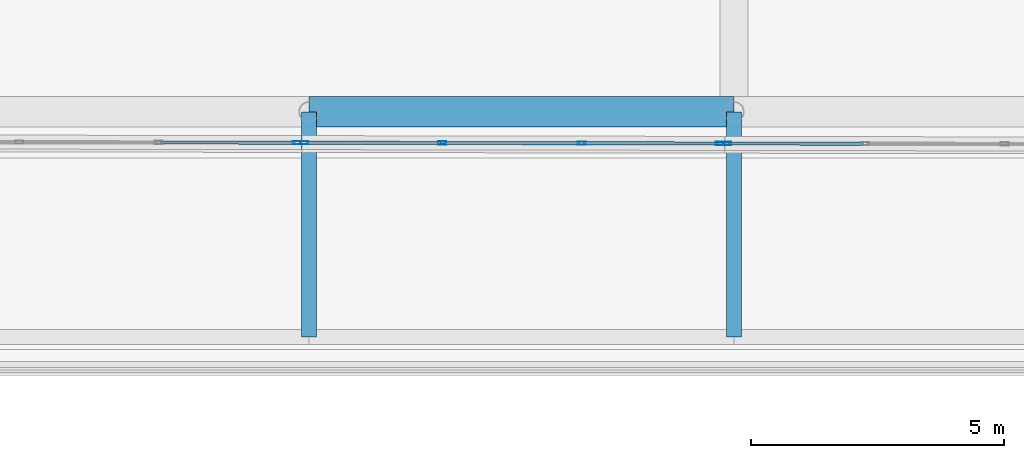
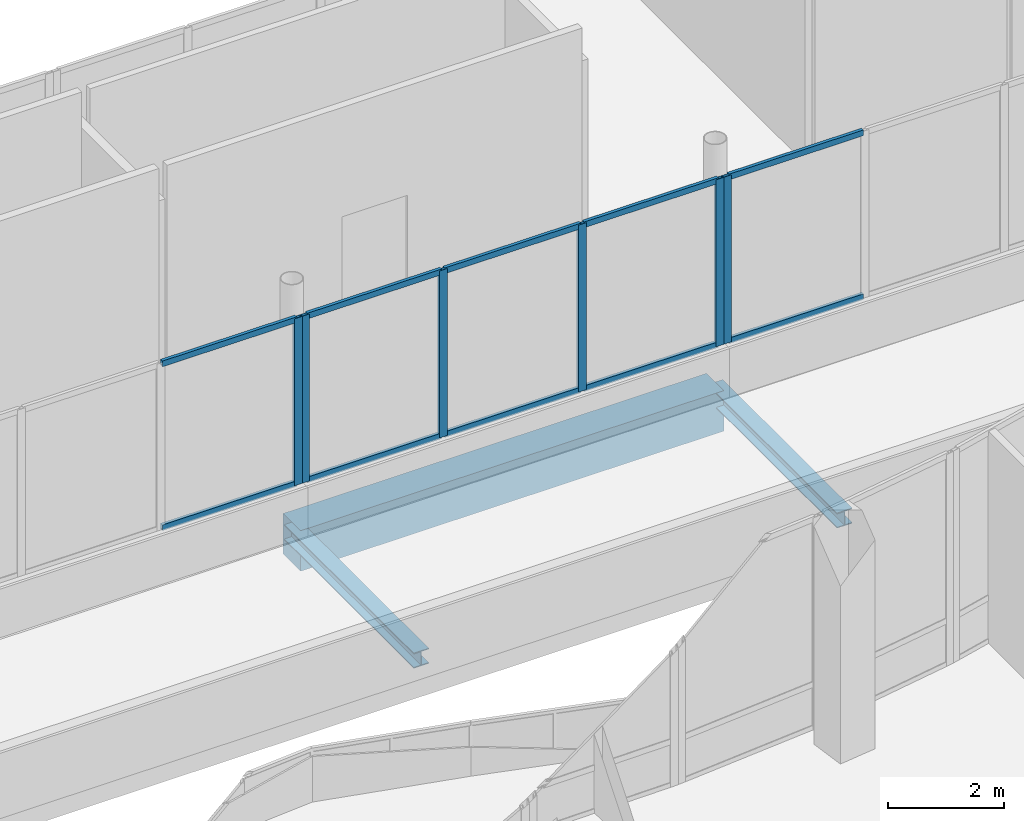
# One storey, part 37 of 168: 16 members, 3 beams, 3 elements without a shape of their own.
"""IFC4 building model written with IfcOpenShell, lengths in metres."""

import ifcopenshell
import ifcopenshell.guid

model = None  # the IFC model being written
_history = None  # IfcOwnerHistory: only IFC2X3 demands one
_inside = {}  # id of a spatial element -> (the spatial element, [elements in it])
_under = {}  # id of a project, library or spatial element -> (it, [spatial elements below it])
_declared = {}  # id of a project -> (the project, [libraries it declares])
_typed = {}  # id of a type object -> (the type object, [elements of that type])
_made_of = {}  # id of a material, layer set ... -> (it, [elements and type objects made of it])


def new_model(schema):
    """Start an empty IFC model of exactly this schema.

    Asked for "IFC4X3", IfcOpenShell would pick the latest addendum, in which some entities
    have other attributes; the version numbers below select the first issue.
    IFC2X3 requires an IfcOwnerHistory on every rooted entity: one is made here for all.
    """
    global model, _history
    if schema == "IFC4X3":
        model = ifcopenshell.file(schema_version=(4, 3, 0, 0))
    else:
        model = ifcopenshell.file(schema=schema)
    _inside.clear()
    _under.clear()
    _declared.clear()
    _typed.clear()
    _made_of.clear()
    _history = None
    if model.schema == "IFC2X3":
        org = make("IfcOrganization", Name="unknown")
        user = make(
            "IfcPersonAndOrganization",
            ThePerson=make("IfcPerson", FamilyName="unknown"),
            TheOrganization=org,
        )
        app = make(
            "IfcApplication",
            ApplicationDeveloper=org,
            Version="unknown",
            ApplicationFullName="unknown",
            ApplicationIdentifier="unknown",
        )
        _history = make(
            "IfcOwnerHistory",
            OwningUser=user,
            OwningApplication=app,
            ChangeAction="ADDED",
            CreationDate=0,
        )
    return model


def make(cls, **values):
    """One entity of the class cls with the attributes given. An attribute that is None is left unset."""
    return model.create_entity(
        cls, **{name: value for name, value in values.items() if value is not None}
    )


def rooted(cls, **values):
    """An entity with a GlobalId (a new one), such as an element, a storey or a relation."""
    return make(cls, GlobalId=ifcopenshell.guid.new(), OwnerHistory=_history, **values)


def si_unit(unit_type, name, prefix=None):
    """IfcSIUnit, for example si_unit("LENGTHUNIT", "METRE", prefix="MILLI")."""
    return make("IfcSIUnit", UnitType=unit_type, Prefix=prefix, Name=name)


def assignment(units):
    """IfcUnitAssignment: the units of a project."""
    return None if units is None else make("IfcUnitAssignment", Units=units)


def point(xyz):
    """IfcCartesianPoint."""
    return None if xyz is None else make("IfcCartesianPoint", Coordinates=xyz)


def direction(xyz):
    """IfcDirection."""
    return None if xyz is None else make("IfcDirection", DirectionRatios=xyz)


def frame(location, z_axis=None, x_axis=None):
    """IfcAxis2Placement3D, a coordinate frame: its origin and axes. An axis left out is left unset."""
    return make(
        "IfcAxis2Placement3D",
        Location=point(location),
        Axis=direction(z_axis),
        RefDirection=direction(x_axis),
    )


def frame_2d(location, x_axis=None):
    """IfcAxis2Placement2D, a coordinate frame in the plane: its origin and x axis."""
    return make(
        "IfcAxis2Placement2D", Location=point(location), RefDirection=direction(x_axis)
    )


def origin():
    """The frame at (0, 0, 0) with its axes left unset."""
    return frame((0.0, 0.0, 0.0))


def origin_2d():
    """The frame at (0, 0) in the plane with its x axis left unset."""
    return frame_2d((0.0, 0.0))


def place(relative_to, where):
    """IfcLocalPlacement: puts the frame where relative to a parent placement (None: the world)."""
    return make(
        "IfcLocalPlacement", PlacementRelTo=relative_to, RelativePlacement=where
    )


def context(
    kind, dimensions, precision=None, world=None, true_north=None, identifier=None
):
    """IfcGeometricRepresentationContext, for example the 3D "Model" context."""
    return make(
        "IfcGeometricRepresentationContext",
        ContextIdentifier=identifier,
        ContextType=kind,
        CoordinateSpaceDimension=dimensions,
        Precision=precision,
        WorldCoordinateSystem=world,
        TrueNorth=true_north,
    )


def subcontext(parent, identifier, kind, view, scale=None):
    """IfcGeometricRepresentationSubContext, for example "Body" below "Model"."""
    return make(
        "IfcGeometricRepresentationSubContext",
        ContextIdentifier=identifier,
        ContextType=kind,
        ParentContext=parent,
        TargetScale=scale,
        TargetView=view,
    )


def project(units=None, contexts=None):
    """IfcProject with its units and contexts."""
    return rooted(
        "IfcProject",
        Name="project",
        RepresentationContexts=contexts,
        UnitsInContext=assignment(units),
    )


def spatial(cls, under=None, at=None, **own):
    """A site, building, storey or space (cls), placed at a placement, below another one or the project."""
    s = rooted(cls, ObjectPlacement=at, **own)
    if under is not None:
        _under.setdefault(under.id(), (under, []))[1].append(s)
    return s


def profile(cls, at=None, kind="AREA", **sizes):
    """A parametric profile (cls). Its sizes go by their IFC names, for example OverallWidth=200.0."""
    return make(cls, ProfileType=kind, Position=at, **sizes)


def rectangle(**sizes):
    """IfcRectangleProfileDef."""
    return profile("IfcRectangleProfileDef", **sizes)


def hollow_rectangle(**sizes):
    """IfcRectangleHollowProfileDef."""
    return profile("IfcRectangleHollowProfileDef", **sizes)


def i_section(**sizes):
    """IfcIShapeProfileDef."""
    return profile("IfcIShapeProfileDef", **sizes)


def extrude(swept, where, along, depth):
    """IfcExtrudedAreaSolid: the profile swept, set in the frame where, extruded along a direction by depth."""
    return make(
        "IfcExtrudedAreaSolid",
        SweptArea=swept,
        Position=where,
        ExtrudedDirection=direction(along),
        Depth=depth,
    )


def shape(context_of_items, identifier, shape_type, items):
    """IfcShapeRepresentation: the items that make up one representation, for example the "Body"."""
    return make(
        "IfcShapeRepresentation",
        ContextOfItems=context_of_items,
        RepresentationIdentifier=identifier,
        RepresentationType=shape_type,
        Items=items,
    )


def material(Name=None, Category=None):
    """IfcMaterial."""
    return make("IfcMaterial", Name=Name, Category=Category)


def material_profile(
    of_material, cross_section, Name=None, Category=None, Priority=None
):
    """IfcMaterialProfile: a cross section and its material."""
    return make(
        "IfcMaterialProfile",
        Name=Name,
        Material=of_material,
        Profile=cross_section,
        Priority=Priority,
        Category=Category,
    )


def profile_set(profiles, Name=None, composite=None):
    """IfcMaterialProfileSet."""
    return make(
        "IfcMaterialProfileSet",
        Name=Name,
        MaterialProfiles=profiles,
        CompositeProfile=composite,
    )


def made_of(thing, what):
    """Note that an element or type object is made of a material, layer set ...; save() writes the relation."""
    if what is not None:
        _made_of.setdefault(what.id(), (what, []))[1].append(thing)
    return thing


def type_object(cls, material=None, **own):
    """A type object (cls), such as IfcWallType, which elements share."""
    return made_of(rooted(cls, **own), material)


def element(
    cls,
    number,
    at=None,
    inside=None,
    cuts=None,
    type_object=None,
    material=None,
    context=None,
    identifier="Body",
    shape_type=None,
    held_by="IfcProductDefinitionShape",
    body=None,
    shapes=None,
    **own,
):
    """One element of the class cls, such as IfcWall. Its Tag is "e" and its number.

    at: its placement. inside: the storey or other place that contains it. cuts: it is an
    opening in that element (IfcRelVoidsElement). A single representation is given by context,
    identifier, shape_type and body (its items); several are given by shapes. held_by: the class
    of the entity that holds the representations. save() writes the other relations.
    """
    e = rooted(cls, Tag="e%d" % number, ObjectPlacement=at, **own)
    if body is not None:
        shapes = [shape(context, identifier, shape_type, body)]
    if shapes is not None:
        e.Representation = make(held_by, Representations=shapes)
    if inside is not None:
        _inside.setdefault(inside.id(), (inside, []))[1].append(e)
    if cuts is not None:
        rooted(
            "IfcRelVoidsElement", RelatingBuildingElement=cuts, RelatedOpeningElement=e
        )
    if type_object is not None:
        _typed.setdefault(type_object.id(), (type_object, []))[1].append(e)
    return made_of(e, material)


def aggregate(whole, parts):
    """IfcRelAggregates: a whole, such as a stair, and the parts it consists of."""
    return rooted("IfcRelAggregates", RelatingObject=whole, RelatedObjects=parts)


def save(model, path):
    """Write the relations noted so far, then the file.

    IfcRelAggregates (storeys below a building ...), IfcRelContainedInSpatialStructure (elements
    in a storey), IfcRelDefinesByType, IfcRelAssociatesMaterial and IfcRelDeclares: one each for
    every whole, place, type object, material and project.
    """
    for whole, parts in _under.values():
        aggregate(whole, parts)
    for where, things in _inside.values():
        rooted(
            "IfcRelContainedInSpatialStructure",
            RelatedElements=things,
            RelatingStructure=where,
        )
    for kind, things in _typed.values():
        rooted("IfcRelDefinesByType", RelatedObjects=things, RelatingType=kind)
    for what, things in _made_of.values():
        rooted("IfcRelAssociatesMaterial", RelatedObjects=things, RelatingMaterial=what)
    for by, libraries in _declared.values():
        rooted("IfcRelDeclares", RelatingContext=by, RelatedDefinitions=libraries)
    model.write(path)


model = new_model("IFC4")

# Units and contexts
model_context = context("Model", 3, precision=1e-05, world=origin(), true_north=direction((0.0, 1.0)))
body_context = subcontext(model_context, "Body", "Model", "MODEL_VIEW")
ifc_project = project(units=[si_unit("LENGTHUNIT", "METRE"), si_unit("AREAUNIT", "SQUARE_METRE"), si_unit("VOLUMEUNIT", "CUBIC_METRE"), si_unit("PLANEANGLEUNIT", "RADIAN"), si_unit("MASSUNIT", "GRAM", prefix="KILO")], contexts=[model_context])

# Site, building, storey
site_placement = place(None, origin())
site = spatial("IfcSite", under=ifc_project, at=site_placement, CompositionType="ELEMENT")
building_placement = place(site_placement, origin())
building = spatial("IfcBuilding", under=site, at=building_placement, Name="Selatvlak General Hospital", CompositionType="ELEMENT")
storey_placement = place(building_placement, frame((0.0, 0.0, 5.39990234375)))
storey = spatial("IfcBuildingStorey", under=building, at=storey_placement, Name="L01", CompositionType="ELEMENT", Elevation=5.39990234375)

# Beams
ifc_material_1 = material(Name="Steel S355", Category="steel")
ifc_material_profile_1 = material_profile(ifc_material_1, i_section(OverallWidth=0.300048828125, OverallDepth=0.320068359375, WebThickness=0.011474609375, FlangeThickness=0.0205078125, at=origin_2d()), Name="HEB 320")
ifc_profile_set_1 = profile_set([ifc_material_profile_1], Name="Steel S355")
beam_type_1 = type_object("IfcBeamType", Name="BM-CAN", PredefinedType="BEAM", material=ifc_profile_set_1)
for number, where, z_axis, x_axis, name in (
    (1, (56.39990234375, 48.10009765625, -0.47998046875), (0.0, 1.0, 0.0), (-1.0, 0.0, 0.0), "Beam BMR-L01-2948"),
    (2, (64.800048828125, 48.10009765625, -0.47998046875), (0.0, 1.0, 0.0), (-1.0, 0.0, 0.0), "Beam BMR-L01-2949"),
):
    element("IfcBeam", number, at=place(storey_placement, frame(where, z_axis=z_axis, x_axis=x_axis)), inside=storey, type_object=beam_type_1, Name=name, PredefinedType="BEAM", context=body_context, shape_type="SweptSolid", body=[
        extrude(i_section(OverallWidth=0.300048828125, OverallDepth=0.320068359375, WebThickness=0.011474609375, FlangeThickness=0.0205078125, at=origin_2d()), origin(), (0.0, 0.0, 1.0), 4.449951171875),
    ])
ifc_material_2 = material(Name="Concrete C40/50", Category="concrete")
ifc_material_profile_2 = material_profile(ifc_material_2, rectangle(XDim=0.60009765625, YDim=0.85009765625, at=origin_2d()), Name="RC-BM 600x850")
ifc_profile_set_2 = profile_set([ifc_material_profile_2], Name="Concrete C40/50")
beam_type_2 = type_object("IfcBeamType", Name="BM-G01", PredefinedType="BEAM", material=ifc_profile_set_2)
beam_placement = place(storey_placement, frame((56.39990234375, 52.550048828125, -0.744873046875), z_axis=(1.0, 0.0, 0.0), x_axis=(0.0, 1.0, 0.0)))
element("IfcBeam", 3, at=beam_placement, inside=storey, type_object=beam_type_2, Name="Beam BMR-L01-0389", PredefinedType="BEAM", context=body_context, shape_type="SweptSolid", body=[
    extrude(rectangle(XDim=0.60009765625, YDim=0.85009765625, at=origin_2d()), origin(), (0.0, 0.0, 1.0), 8.400146484375),
])

# Curtain wall, member
ifc_material_3 = material(Name="Solar-control Low-E double glazing", Category="glass")
curtain_wall_type_1 = type_object("IfcCurtainWallType", Name="CW-CW-02", PredefinedType="USERDEFINED", material=ifc_material_3)
curtain_wall_1_placement = place(storey_placement, origin())
curtain_wall_1 = element("IfcCurtainWall", 4, at=curtain_wall_1_placement, inside=storey, type_object=curtain_wall_type_1, Name="Glazed facade curtain wall CW-L01-0209", ObjectType="UNITISED CURTAIN WALL", PredefinedType="USERDEFINED")
ifc_material_4 = material(Name="Dark anodised aluminium mullion", Category="aluminium")
ifc_material_profile_3 = material_profile(ifc_material_4, hollow_rectangle(XDim=0.06494140625, YDim=0.159912109375, WallThickness=0.00390625, at=origin_2d()), Name="AL-MUL 65x160x4")
ifc_profile_set_3 = profile_set([ifc_material_profile_3], Name="Dark anodised aluminium mullion")
member_type_1 = type_object("IfcMemberType", Name="CWM-01", PredefinedType="MULLION", material=ifc_profile_set_3)
member_1_placement = place(storey_placement, frame((64.66552734375, 51.925048828125, 0.940185546875), z_axis=(0.0, 0.0, 1.0), x_axis=(-0.001811153756, -0.99999835986, 0.0)))
member_1 = element("IfcMember", 5, at=member_1_placement, type_object=member_type_1, Name="CW-02 mullion 4", PredefinedType="MULLION", context=body_context, shape_type="SweptSolid", body=[
    extrude(hollow_rectangle(XDim=0.06494140625, YDim=0.159912109375, WallThickness=0.00390625, at=origin_2d()), origin(), (0.0, 0.0, 1.0), 3.5048828125),
])

# Curtain wall, members
curtain_wall_type_2 = type_object("IfcCurtainWallType", Name="CW-CW-01", PredefinedType="USERDEFINED", material=ifc_material_3)
curtain_wall_2_placement = place(storey_placement, origin())
curtain_wall_2 = element("IfcCurtainWall", 6, at=curtain_wall_2_placement, inside=storey, type_object=curtain_wall_type_2, Name="Glazed facade curtain wall CW-L01-0210", ObjectType="UNITISED CURTAIN WALL", PredefinedType="USERDEFINED")
member_2_placement = place(storey_placement, frame((64.5205078125, 51.925048828125, 0.940185546875), z_axis=(0.0, 0.0, 1.0), x_axis=(-0.001811153756, -0.99999835986, 0.0)))
member_2 = element("IfcMember", 7, at=member_2_placement, type_object=member_type_1, Name="CW-01 mullion 1", PredefinedType="MULLION", context=body_context, shape_type="SweptSolid", body=[
    extrude(hollow_rectangle(XDim=0.06494140625, YDim=0.159912109375, WallThickness=0.00390625, at=origin_2d()), origin(), (0.0, 0.0, 1.0), 3.5048828125),
])
member_3_placement = place(storey_placement, frame((61.792236328125, 51.929931640625, 0.940185546875), z_axis=(0.0, 0.0, 1.0), x_axis=(-0.001811153756, -0.99999835986, 0.0)))
member_3 = element("IfcMember", 8, at=member_3_placement, type_object=member_type_1, Name="CW-01 mullion 2", PredefinedType="MULLION", context=body_context, shape_type="SweptSolid", body=[
    extrude(hollow_rectangle(XDim=0.06494140625, YDim=0.159912109375, WallThickness=0.00390625, at=origin_2d()), origin(), (0.0, 0.0, 1.0), 3.5048828125),
])
member_4_placement = place(storey_placement, frame((59.03173828125, 51.93505859375, 0.940185546875), z_axis=(0.0, 0.0, 1.0), x_axis=(-0.001811153756, -0.99999835986, 0.0)))
member_4 = element("IfcMember", 9, at=member_4_placement, type_object=member_type_1, Name="CW-01 mullion 3", PredefinedType="MULLION", context=body_context, shape_type="SweptSolid", body=[
    extrude(hollow_rectangle(XDim=0.06494140625, YDim=0.159912109375, WallThickness=0.00390625, at=origin_2d()), origin(), (0.0, 0.0, 1.0), 3.5048828125),
])
member_5_placement = place(storey_placement, frame((56.303466796875, 51.93994140625, 0.940185546875), z_axis=(0.0, 0.0, 1.0), x_axis=(-0.001811153756, -0.99999835986, 0.0)))
member_5 = element("IfcMember", 10, at=member_5_placement, type_object=member_type_1, Name="CW-01 mullion 4", PredefinedType="MULLION", context=body_context, shape_type="SweptSolid", body=[
    extrude(hollow_rectangle(XDim=0.06494140625, YDim=0.159912109375, WallThickness=0.00390625, at=origin_2d()), origin(), (0.0, 0.0, 1.0), 3.5048828125),
])

# Curtain wall, member
curtain_wall_3_placement = place(storey_placement, origin())
curtain_wall_3 = element("IfcCurtainWall", 11, at=curtain_wall_3_placement, inside=storey, type_object=curtain_wall_type_1, Name="Glazed facade curtain wall CW-L01-0211", ObjectType="UNITISED CURTAIN WALL", PredefinedType="USERDEFINED")
member_6_placement = place(storey_placement, frame((56.158447265625, 51.93994140625, 0.940185546875), z_axis=(0.0, 0.0, 1.0), x_axis=(-0.001811372463, -0.999998359464, 0.0)))
member_6 = element("IfcMember", 12, at=member_6_placement, type_object=member_type_1, Name="CW-02 mullion 1", PredefinedType="MULLION", context=body_context, shape_type="SweptSolid", body=[
    extrude(hollow_rectangle(XDim=0.06494140625, YDim=0.159912109375, WallThickness=0.00390625, at=origin_2d()), origin(), (0.0, 0.0, 1.0), 3.5048828125),
])

# Member
ifc_material_profile_4 = material_profile(ifc_material_4, hollow_rectangle(XDim=0.06494140625, YDim=0.1201171875, WallThickness=0.00390625, at=origin_2d()), Name="AL-TRN 65x120x4")
ifc_profile_set_4 = profile_set([ifc_material_profile_4], Name="Dark anodised aluminium mullion")
member_type_2 = type_object("IfcMemberType", Name="CWT-01", PredefinedType="USERDEFINED", material=ifc_profile_set_4)
member_7_placement = place(storey_placement, frame((67.361083984375, 51.920166015625, 0.97265625), z_axis=(-0.999998482999, 0.001741838208, 0.0), x_axis=(-0.001741838208, -0.999998482999, 0.0)))
member_7 = element("IfcMember", 13, at=member_7_placement, type_object=member_type_2, Name="CW-02 transom 3.1", ObjectType="TRANSOM", PredefinedType="USERDEFINED", context=body_context, shape_type="SweptSolid", body=[
    extrude(hollow_rectangle(XDim=0.06494140625, YDim=0.1201171875, WallThickness=0.00390625, at=origin_2d()), origin(), (0.0, 0.0, 1.0), 2.6630859375),
])

member_8_placement = place(storey_placement, frame((67.361083984375, 51.920166015625, 4.41259765625), z_axis=(-0.999998482999, 0.001741838208, 0.0), x_axis=(-0.001741838208, -0.999998482999, 0.0)))
member_8 = element("IfcMember", 14, at=member_8_placement, type_object=member_type_2, Name="CW-02 transom 3.2", ObjectType="TRANSOM", PredefinedType="USERDEFINED", context=body_context, shape_type="SweptSolid", body=[
    extrude(hollow_rectangle(XDim=0.06494140625, YDim=0.1201171875, WallThickness=0.00390625, at=origin_2d()), origin(), (0.0, 0.0, 1.0), 2.6630859375),
])

aggregate(curtain_wall_1, [member_1, member_7, member_8])

member_9_placement = place(storey_placement, frame((64.488037109375, 51.925048828125, 0.97265625), z_axis=(-0.999998319113, 0.001833513603, 0.0), x_axis=(-0.001833513603, -0.999998319113, 0.0)))
member_9 = element("IfcMember", 15, at=member_9_placement, type_object=member_type_2, Name="CW-01 transom 1.1", ObjectType="TRANSOM", PredefinedType="USERDEFINED", context=body_context, shape_type="SweptSolid", body=[
    extrude(hollow_rectangle(XDim=0.06494140625, YDim=0.1201171875, WallThickness=0.00390625, at=origin_2d()), origin(), (0.0, 0.0, 1.0), 2.6630859375),
])

member_10_placement = place(storey_placement, frame((64.488037109375, 51.925048828125, 4.41259765625), z_axis=(-0.999998319113, 0.001833513603, 0.0), x_axis=(-0.001833513603, -0.999998319113, 0.0)))
member_10 = element("IfcMember", 16, at=member_10_placement, type_object=member_type_2, Name="CW-01 transom 1.2", ObjectType="TRANSOM", PredefinedType="USERDEFINED", context=body_context, shape_type="SweptSolid", body=[
    extrude(hollow_rectangle(XDim=0.06494140625, YDim=0.1201171875, WallThickness=0.00390625, at=origin_2d()), origin(), (0.0, 0.0, 1.0), 2.6630859375),
])

member_11_placement = place(storey_placement, frame((61.759765625, 51.93017578125, 0.97265625), z_axis=(-0.999998359364, 0.001811427152, 0.0), x_axis=(-0.001811427152, -0.999998359364, 0.0)))
member_11 = element("IfcMember", 17, at=member_11_placement, type_object=member_type_2, Name="CW-01 transom 2.1", ObjectType="TRANSOM", PredefinedType="USERDEFINED", context=body_context, shape_type="SweptSolid", body=[
    extrude(hollow_rectangle(XDim=0.06494140625, YDim=0.1201171875, WallThickness=0.00390625, at=origin_2d()), origin(), (0.0, 0.0, 1.0), 2.695556640625),
])

member_12_placement = place(storey_placement, frame((61.759765625, 51.93017578125, 4.41259765625), z_axis=(-0.999998359364, 0.001811427152, 0.0), x_axis=(-0.001811427152, -0.999998359364, 0.0)))
member_12 = element("IfcMember", 18, at=member_12_placement, type_object=member_type_2, Name="CW-01 transom 2.2", ObjectType="TRANSOM", PredefinedType="USERDEFINED", context=body_context, shape_type="SweptSolid", body=[
    extrude(hollow_rectangle(XDim=0.06494140625, YDim=0.1201171875, WallThickness=0.00390625, at=origin_2d()), origin(), (0.0, 0.0, 1.0), 2.695556640625),
])

member_13_placement = place(storey_placement, frame((58.999267578125, 51.93505859375, 0.97265625), z_axis=(-0.999998319421, 0.00183334553, 0.0), x_axis=(-0.00183334553, -0.999998319421, 0.0)))
member_13 = element("IfcMember", 19, at=member_13_placement, type_object=member_type_2, Name="CW-01 transom 3.1", ObjectType="TRANSOM", PredefinedType="USERDEFINED", context=body_context, shape_type="SweptSolid", body=[
    extrude(hollow_rectangle(XDim=0.06494140625, YDim=0.1201171875, WallThickness=0.00390625, at=origin_2d()), origin(), (0.0, 0.0, 1.0), 2.663330078125),
])

member_14_placement = place(storey_placement, frame((58.999267578125, 51.93505859375, 4.41259765625), z_axis=(-0.999998319421, 0.00183334553, 0.0), x_axis=(-0.00183334553, -0.999998319421, 0.0)))
member_14 = element("IfcMember", 20, at=member_14_placement, type_object=member_type_2, Name="CW-01 transom 3.2", ObjectType="TRANSOM", PredefinedType="USERDEFINED", context=body_context, shape_type="SweptSolid", body=[
    extrude(hollow_rectangle(XDim=0.06494140625, YDim=0.1201171875, WallThickness=0.00390625, at=origin_2d()), origin(), (0.0, 0.0, 1.0), 2.663330078125),
])

aggregate(curtain_wall_2, [member_2, member_3, member_4, member_5, member_9, member_10, member_11, member_12, member_13, member_14])

member_15_placement = place(storey_placement, frame((56.1259765625, 51.940185546875, 0.97265625), z_axis=(-0.99999848272, 0.001741997907, 0.0), x_axis=(-0.001741997907, -0.99999848272, 0.0)))
member_15 = element("IfcMember", 21, at=member_15_placement, type_object=member_type_2, Name="CW-02 transom 1.1", ObjectType="TRANSOM", PredefinedType="USERDEFINED", context=body_context, shape_type="SweptSolid", body=[
    extrude(hollow_rectangle(XDim=0.06494140625, YDim=0.1201171875, WallThickness=0.00390625, at=origin_2d()), origin(), (0.0, 0.0, 1.0), 2.662841796875),
])

member_16_placement = place(storey_placement, frame((56.1259765625, 51.940185546875, 4.41259765625), z_axis=(-0.99999848272, 0.001741997907, 0.0), x_axis=(-0.001741997907, -0.99999848272, 0.0)))
member_16 = element("IfcMember", 22, at=member_16_placement, type_object=member_type_2, Name="CW-02 transom 1.2", ObjectType="TRANSOM", PredefinedType="USERDEFINED", context=body_context, shape_type="SweptSolid", body=[
    extrude(hollow_rectangle(XDim=0.06494140625, YDim=0.1201171875, WallThickness=0.00390625, at=origin_2d()), origin(), (0.0, 0.0, 1.0), 2.662841796875),
])

aggregate(curtain_wall_3, [member_6, member_15, member_16])

save(model, "model.ifc")
